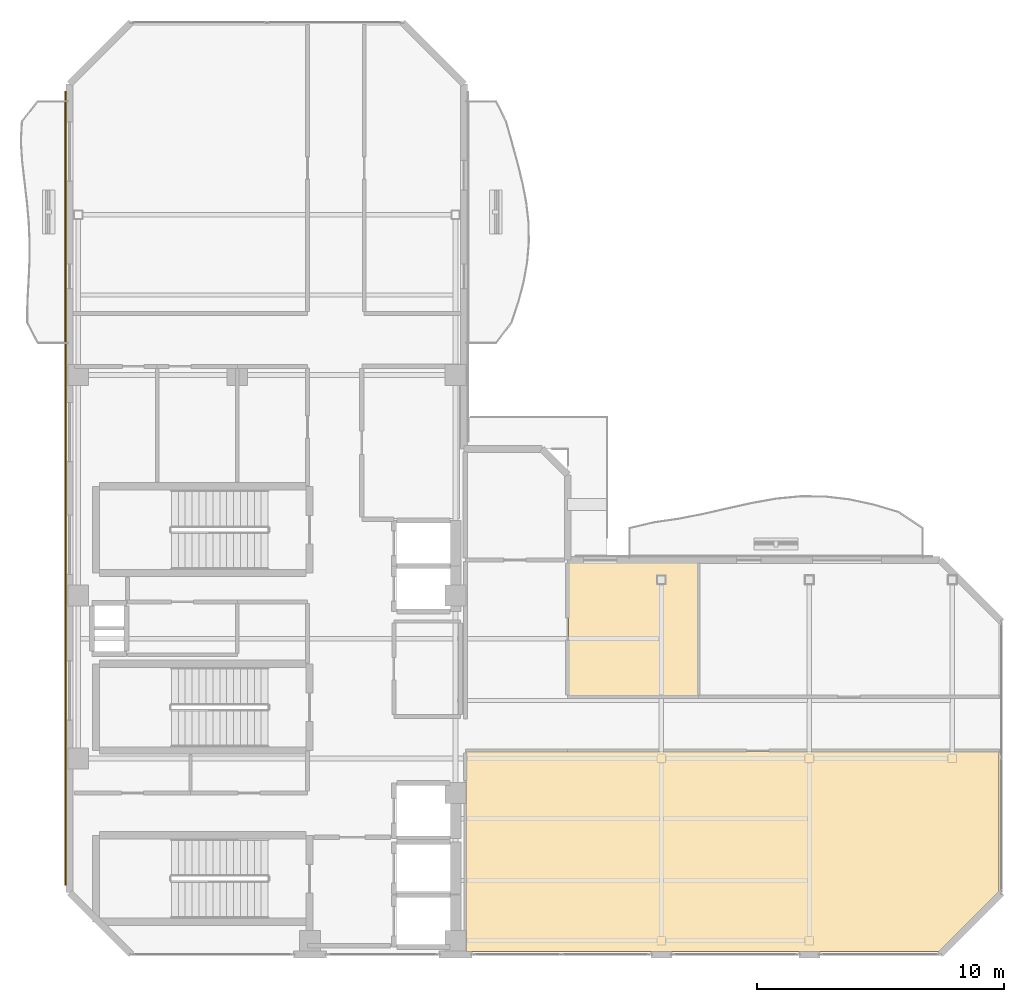
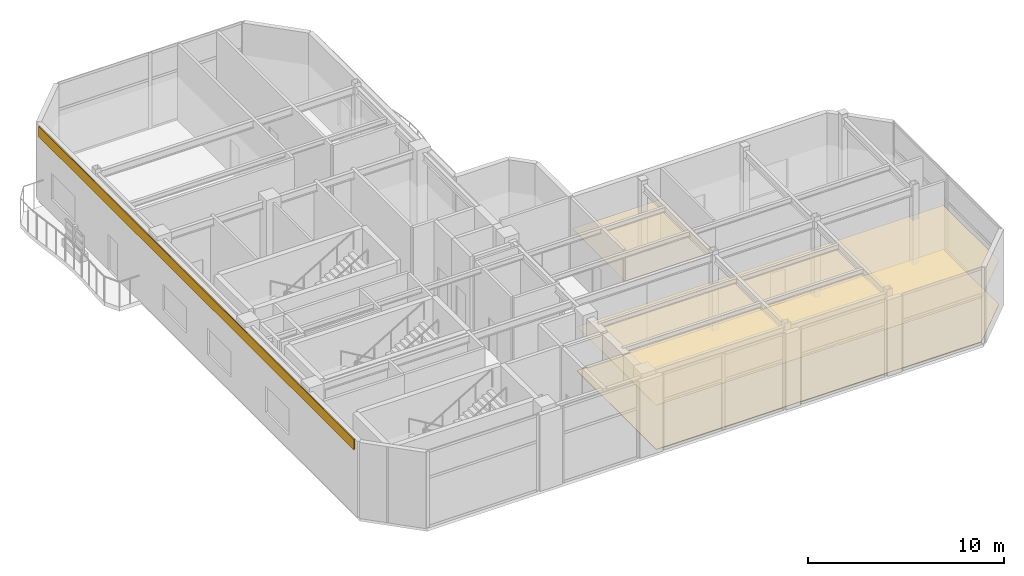
# One storey, part 14 of 16: 4 coverings.
"""IFC4 building model written with IfcOpenShell, lengths in metres."""

import ifcopenshell
import ifcopenshell.guid

model = None  # the IFC model being written
_history = None  # IfcOwnerHistory: only IFC2X3 demands one
_inside = {}  # id of a spatial element -> (the spatial element, [elements in it])
_under = {}  # id of a project, library or spatial element -> (it, [spatial elements below it])
_declared = {}  # id of a project -> (the project, [libraries it declares])
_typed = {}  # id of a type object -> (the type object, [elements of that type])
_made_of = {}  # id of a material, layer set ... -> (it, [elements and type objects made of it])


def new_model(schema):
    """Start an empty IFC model of exactly this schema.

    Asked for "IFC4X3", IfcOpenShell would pick the latest addendum, in which some entities
    have other attributes; the version numbers below select the first issue.
    IFC2X3 requires an IfcOwnerHistory on every rooted entity: one is made here for all.
    """
    global model, _history
    if schema == "IFC4X3":
        model = ifcopenshell.file(schema_version=(4, 3, 0, 0))
    else:
        model = ifcopenshell.file(schema=schema)
    _inside.clear()
    _under.clear()
    _declared.clear()
    _typed.clear()
    _made_of.clear()
    _history = None
    if model.schema == "IFC2X3":
        org = make("IfcOrganization", Name="unknown")
        user = make(
            "IfcPersonAndOrganization",
            ThePerson=make("IfcPerson", FamilyName="unknown"),
            TheOrganization=org,
        )
        app = make(
            "IfcApplication",
            ApplicationDeveloper=org,
            Version="unknown",
            ApplicationFullName="unknown",
            ApplicationIdentifier="unknown",
        )
        _history = make(
            "IfcOwnerHistory",
            OwningUser=user,
            OwningApplication=app,
            ChangeAction="ADDED",
            CreationDate=0,
        )
    return model


def make(cls, **values):
    """One entity of the class cls with the attributes given. An attribute that is None is left unset."""
    return model.create_entity(
        cls, **{name: value for name, value in values.items() if value is not None}
    )


def rooted(cls, **values):
    """An entity with a GlobalId (a new one), such as an element, a storey or a relation."""
    return make(cls, GlobalId=ifcopenshell.guid.new(), OwnerHistory=_history, **values)


def si_unit(unit_type, name, prefix=None):
    """IfcSIUnit, for example si_unit("LENGTHUNIT", "METRE", prefix="MILLI")."""
    return make("IfcSIUnit", UnitType=unit_type, Prefix=prefix, Name=name)


def assignment(units):
    """IfcUnitAssignment: the units of a project."""
    return None if units is None else make("IfcUnitAssignment", Units=units)


def point(xyz):
    """IfcCartesianPoint."""
    return None if xyz is None else make("IfcCartesianPoint", Coordinates=xyz)


def direction(xyz):
    """IfcDirection."""
    return None if xyz is None else make("IfcDirection", DirectionRatios=xyz)


def frame(location, z_axis=None, x_axis=None):
    """IfcAxis2Placement3D, a coordinate frame: its origin and axes. An axis left out is left unset."""
    return make(
        "IfcAxis2Placement3D",
        Location=point(location),
        Axis=direction(z_axis),
        RefDirection=direction(x_axis),
    )


def frame_2d(location, x_axis=None):
    """IfcAxis2Placement2D, a coordinate frame in the plane: its origin and x axis."""
    return make(
        "IfcAxis2Placement2D", Location=point(location), RefDirection=direction(x_axis)
    )


def origin():
    """The frame at (0, 0, 0) with its axes left unset."""
    return frame((0.0, 0.0, 0.0))


def origin_2d():
    """The frame at (0, 0) in the plane with its x axis left unset."""
    return frame_2d((0.0, 0.0))


def place(relative_to, where):
    """IfcLocalPlacement: puts the frame where relative to a parent placement (None: the world)."""
    return make(
        "IfcLocalPlacement", PlacementRelTo=relative_to, RelativePlacement=where
    )


def context(
    kind, dimensions, precision=None, world=None, true_north=None, identifier=None
):
    """IfcGeometricRepresentationContext, for example the 3D "Model" context."""
    return make(
        "IfcGeometricRepresentationContext",
        ContextIdentifier=identifier,
        ContextType=kind,
        CoordinateSpaceDimension=dimensions,
        Precision=precision,
        WorldCoordinateSystem=world,
        TrueNorth=true_north,
    )


def subcontext(parent, identifier, kind, view, scale=None):
    """IfcGeometricRepresentationSubContext, for example "Body" below "Model"."""
    return make(
        "IfcGeometricRepresentationSubContext",
        ContextIdentifier=identifier,
        ContextType=kind,
        ParentContext=parent,
        TargetScale=scale,
        TargetView=view,
    )


def project(units=None, contexts=None):
    """IfcProject with its units and contexts."""
    return rooted(
        "IfcProject",
        Name="project",
        RepresentationContexts=contexts,
        UnitsInContext=assignment(units),
    )


def spatial(cls, under=None, at=None, **own):
    """A site, building, storey or space (cls), placed at a placement, below another one or the project."""
    s = rooted(cls, ObjectPlacement=at, **own)
    if under is not None:
        _under.setdefault(under.id(), (under, []))[1].append(s)
    return s


def polyline(points):
    """IfcPolyline through the points."""
    return make("IfcPolyline", Points=[point(p) for p in points])


def profile(cls, at=None, kind="AREA", **sizes):
    """A parametric profile (cls). Its sizes go by their IFC names, for example OverallWidth=200.0."""
    return make(cls, ProfileType=kind, Position=at, **sizes)


def rectangle(**sizes):
    """IfcRectangleProfileDef."""
    return profile("IfcRectangleProfileDef", **sizes)


def outline(outer, holes=None, kind="AREA"):
    """IfcArbitraryClosedProfileDef: a profile drawn as a closed curve; with holes, ...WithVoids."""
    if holes is None:
        return make("IfcArbitraryClosedProfileDef", ProfileType=kind, OuterCurve=outer)
    return make(
        "IfcArbitraryProfileDefWithVoids",
        ProfileType=kind,
        OuterCurve=outer,
        InnerCurves=holes,
    )


def extrude(swept, where, along, depth):
    """IfcExtrudedAreaSolid: the profile swept, set in the frame where, extruded along a direction by depth."""
    return make(
        "IfcExtrudedAreaSolid",
        SweptArea=swept,
        Position=where,
        ExtrudedDirection=direction(along),
        Depth=depth,
    )


def shape(context_of_items, identifier, shape_type, items):
    """IfcShapeRepresentation: the items that make up one representation, for example the "Body"."""
    return make(
        "IfcShapeRepresentation",
        ContextOfItems=context_of_items,
        RepresentationIdentifier=identifier,
        RepresentationType=shape_type,
        Items=items,
    )


def material(Name=None, Category=None):
    """IfcMaterial."""
    return make("IfcMaterial", Name=Name, Category=Category)


def layer(
    of_material, thickness, ventilated=None, Name=None, Category=None, Priority=None
):
    """IfcMaterialLayer: one layer of a wall or slab, of a material (None: an air gap)."""
    return make(
        "IfcMaterialLayer",
        Material=of_material,
        LayerThickness=thickness,
        IsVentilated=ventilated,
        Name=Name,
        Category=Category,
        Priority=Priority,
    )


def layer_set(layers, Name=None):
    """IfcMaterialLayerSet."""
    return make("IfcMaterialLayerSet", MaterialLayers=layers, LayerSetName=Name)


def made_of(thing, what):
    """Note that an element or type object is made of a material, layer set ...; save() writes the relation."""
    if what is not None:
        _made_of.setdefault(what.id(), (what, []))[1].append(thing)
    return thing


def type_object(cls, material=None, **own):
    """A type object (cls), such as IfcWallType, which elements share."""
    return made_of(rooted(cls, **own), material)


def element(
    cls,
    number,
    at=None,
    inside=None,
    cuts=None,
    type_object=None,
    material=None,
    context=None,
    identifier="Body",
    shape_type=None,
    held_by="IfcProductDefinitionShape",
    body=None,
    shapes=None,
    **own,
):
    """One element of the class cls, such as IfcWall. Its Tag is "e" and its number.

    at: its placement. inside: the storey or other place that contains it. cuts: it is an
    opening in that element (IfcRelVoidsElement). A single representation is given by context,
    identifier, shape_type and body (its items); several are given by shapes. held_by: the class
    of the entity that holds the representations. save() writes the other relations.
    """
    e = rooted(cls, Tag="e%d" % number, ObjectPlacement=at, **own)
    if body is not None:
        shapes = [shape(context, identifier, shape_type, body)]
    if shapes is not None:
        e.Representation = make(held_by, Representations=shapes)
    if inside is not None:
        _inside.setdefault(inside.id(), (inside, []))[1].append(e)
    if cuts is not None:
        rooted(
            "IfcRelVoidsElement", RelatingBuildingElement=cuts, RelatedOpeningElement=e
        )
    if type_object is not None:
        _typed.setdefault(type_object.id(), (type_object, []))[1].append(e)
    return made_of(e, material)


def aggregate(whole, parts):
    """IfcRelAggregates: a whole, such as a stair, and the parts it consists of."""
    return rooted("IfcRelAggregates", RelatingObject=whole, RelatedObjects=parts)


def save(model, path):
    """Write the relations noted so far, then the file.

    IfcRelAggregates (storeys below a building ...), IfcRelContainedInSpatialStructure (elements
    in a storey), IfcRelDefinesByType, IfcRelAssociatesMaterial and IfcRelDeclares: one each for
    every whole, place, type object, material and project.
    """
    for whole, parts in _under.values():
        aggregate(whole, parts)
    for where, things in _inside.values():
        rooted(
            "IfcRelContainedInSpatialStructure",
            RelatedElements=things,
            RelatingStructure=where,
        )
    for kind, things in _typed.values():
        rooted("IfcRelDefinesByType", RelatedObjects=things, RelatingType=kind)
    for what, things in _made_of.values():
        rooted("IfcRelAssociatesMaterial", RelatedObjects=things, RelatingMaterial=what)
    for by, libraries in _declared.values():
        rooted("IfcRelDeclares", RelatingContext=by, RelatedDefinitions=libraries)
    model.write(path)


model = new_model("IFC4")

# Units and contexts
model_context = context("Model", 3, precision=1e-05, world=origin(), true_north=direction((0.0, 1.0)))
body_context = subcontext(model_context, "Body", "Model", "MODEL_VIEW")
ifc_project = project(units=[si_unit("LENGTHUNIT", "METRE"), si_unit("AREAUNIT", "SQUARE_METRE"), si_unit("VOLUMEUNIT", "CUBIC_METRE"), si_unit("PLANEANGLEUNIT", "RADIAN"), si_unit("MASSUNIT", "GRAM", prefix="KILO")], contexts=[model_context])

# Site, building, storey
site_placement = place(None, origin())
site = spatial("IfcSite", under=ifc_project, at=site_placement, CompositionType="ELEMENT")
building_placement = place(site_placement, origin())
building = spatial("IfcBuilding", under=site, at=building_placement, Name="Mawjaban Terraces University", CompositionType="ELEMENT")
storey_placement = place(building_placement, frame((0.0, 0.0, 311.699951171875)))
storey = spatial("IfcBuildingStorey", under=building, at=storey_placement, Name="L76", CompositionType="ELEMENT", Elevation=311.699951171875)

# Coverings
ifc_material_1 = material(Name="Acoustic mineral fibre ceiling tile", Category="masonry")
ifc_layer_1 = layer(ifc_material_1, 0.02001953125)
ifc_layer_set_1 = layer_set([ifc_layer_1], Name="Acoustic mineral fibre ceiling tile")
covering_type_1 = type_object("IfcCoveringType", Name="AcousticMineralCeiling_20", PredefinedType="CEILING", material=ifc_layer_set_1)
covering_1_placement = place(storey_placement, frame((0.0, 0.0, 2.75)))
element("IfcCovering", 1, at=covering_1_placement, inside=storey, type_object=covering_type_1, Name="L76 Upper Summit Horizon Observation Hall Acoustic Ceiling", PredefinedType="CEILING", context=body_context, shape_type="SweptSolid", body=[
    extrude(outline(polyline([(57.2529296875, 0.114990234375), (59.68505859375, 2.547119140625), (59.68505859375, 8.219970703125), (38.080078125, 8.219970703125), (38.080078125, 0.114990234375), (57.2529296875, 0.114990234375)])), origin(), (0.0, 0.0, 1.0), 0.02001953125),
])
covering_2_placement = place(storey_placement, frame((0.0, 0.0, 2.75)))
element("IfcCovering", 2, at=covering_2_placement, inside=storey, type_object=covering_type_1, Name="L76 Observatory Refreshment Pantry Acoustic Ceiling", PredefinedType="CEILING", context=body_context, shape_type="SweptSolid", body=[
    extrude(outline(polyline([(47.469970703125, 15.885009765625), (42.22998046875, 15.885009765625), (42.22998046875, 10.47998046875), (47.469970703125, 10.47998046875), (47.469970703125, 15.885009765625)])), origin(), (0.0, 0.0, 1.0), 0.02001953125),
])
ifc_material_2 = material(Name="Glazed architectural terracotta rainscreen", Category="masonry")
ifc_layer_2 = layer(ifc_material_2, 0.06005859375)
ifc_layer_set_2 = layer_set([ifc_layer_2], Name="Glazed architectural terracotta rainscreen")
covering_type_2 = type_object("IfcCoveringType", Name="TerracottaSpandrelCladding_60", PredefinedType="CLADDING", material=ifc_layer_set_2)
covering_3_placement = place(storey_placement, frame((21.8369140625, 18.89990234375, 4.065185546875), z_axis=(0.0, 0.0, 1.0), x_axis=(0.0, -1.0, 0.0)))
element("IfcCovering", 3, at=covering_3_placement, inside=storey, type_object=covering_type_2, Name="L76 Terracotta Spandrel Cladding 13", PredefinedType="CLADDING", context=body_context, shape_type="SweptSolid", body=[
    extrude(rectangle(XDim=32.199951171875, YDim=0.06005859375, at=origin_2d()), origin(), (0.0, 0.0, 1.0), 0.64990234375),
])
ifc_material_3 = material(Name="Polished Hijazi granite terrazzo flooring", Category="masonry")
ifc_layer_3 = layer(ifc_material_3, 0.02490234375)
ifc_layer_set_3 = layer_set([ifc_layer_3], Name="Polished Hijazi granite terrazzo flooring")
covering_type_3 = type_object("IfcCoveringType", Name="TerrazzoConcourseFlooring_25", PredefinedType="FLOORING", material=ifc_layer_set_3)
covering_4_placement = place(storey_placement, origin())
element("IfcCovering", 4, at=covering_4_placement, inside=storey, type_object=covering_type_3, Name="L76 Upper Summit Horizon Observation Hall Terrazzo Flooring", PredefinedType="FLOORING", context=body_context, shape_type="SweptSolid", body=[
    extrude(outline(polyline([(57.2529296875, 0.114990234375), (59.68505859375, 2.547119140625), (59.68505859375, 8.219970703125), (38.080078125, 8.219970703125), (38.080078125, 0.114990234375), (57.2529296875, 0.114990234375)])), origin(), (0.0, 0.0, 1.0), 0.025146484375),
])

save(model, "model.ifc")
